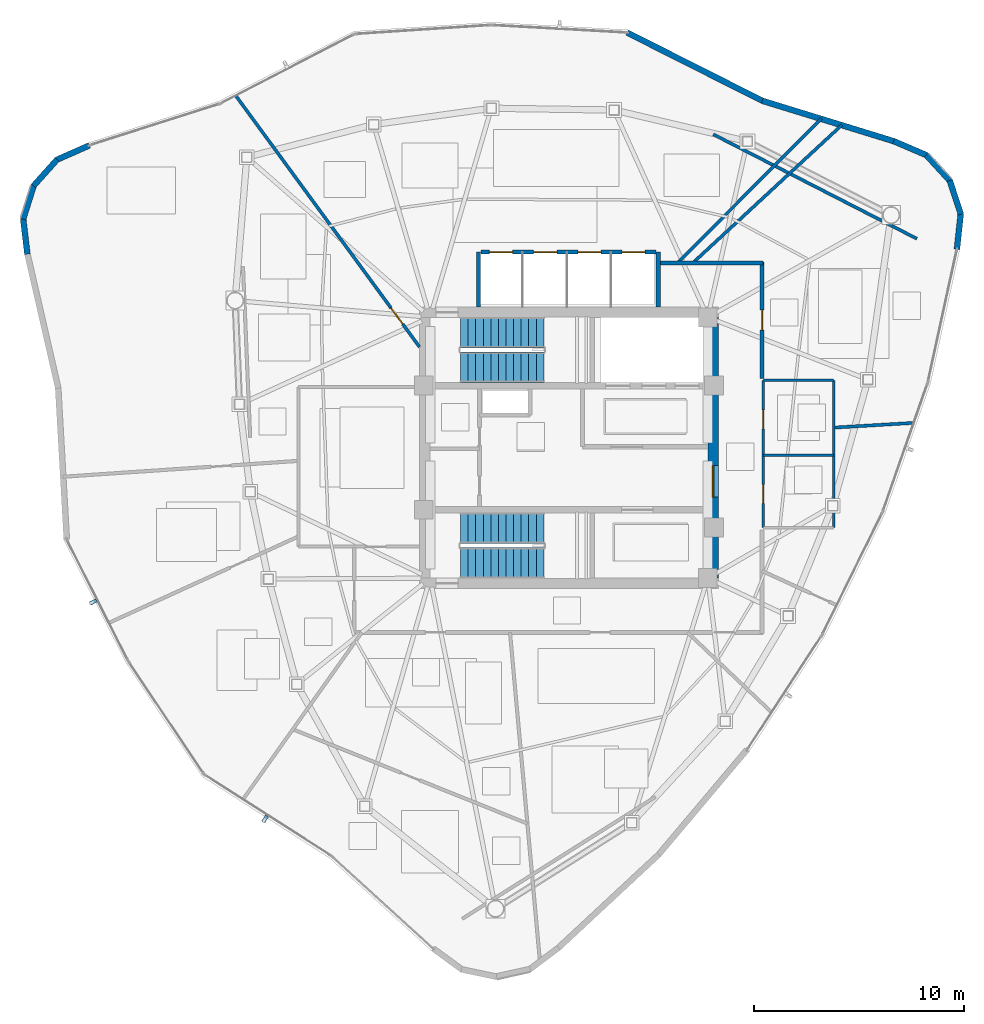
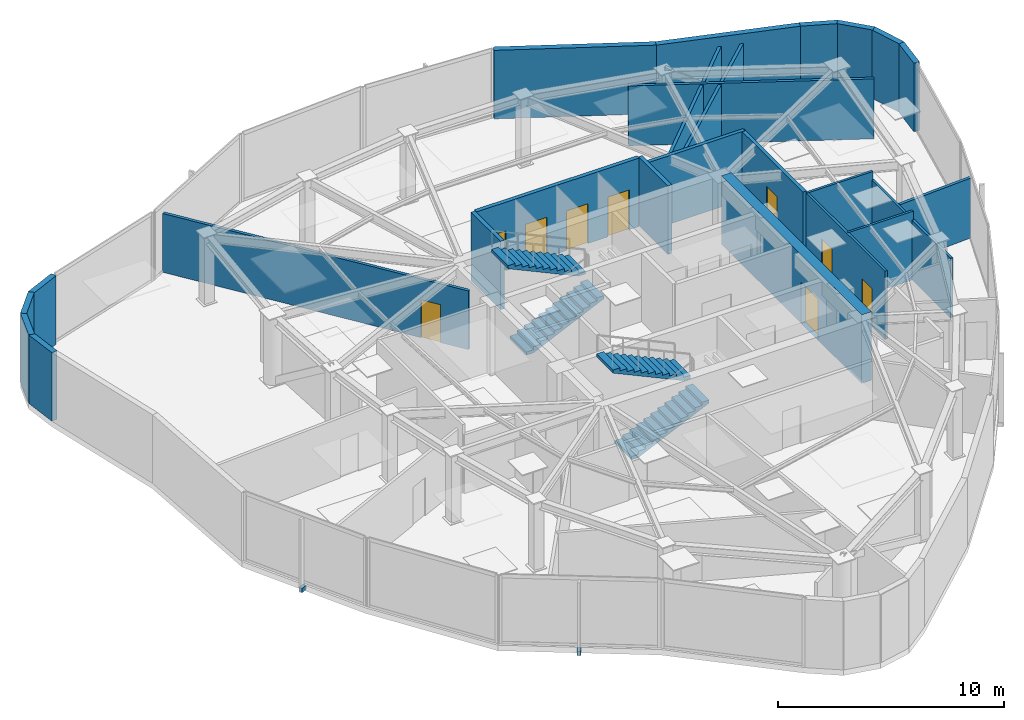
# One storey, part 9 of 13: 25 walls, 9 doors, 4 stair flights, 2 discrete accessories, 9 openings, 2 elements without a shape of their own.
"""IFC4 building model written with IfcOpenShell, lengths in metres."""

import ifcopenshell
import ifcopenshell.guid

model = None  # the IFC model being written
_history = None  # IfcOwnerHistory: only IFC2X3 demands one
_inside = {}  # id of a spatial element -> (the spatial element, [elements in it])
_under = {}  # id of a project, library or spatial element -> (it, [spatial elements below it])
_declared = {}  # id of a project -> (the project, [libraries it declares])
_typed = {}  # id of a type object -> (the type object, [elements of that type])
_made_of = {}  # id of a material, layer set ... -> (it, [elements and type objects made of it])


def new_model(schema):
    """Start an empty IFC model of exactly this schema.

    Asked for "IFC4X3", IfcOpenShell would pick the latest addendum, in which some entities
    have other attributes; the version numbers below select the first issue.
    IFC2X3 requires an IfcOwnerHistory on every rooted entity: one is made here for all.
    """
    global model, _history
    if schema == "IFC4X3":
        model = ifcopenshell.file(schema_version=(4, 3, 0, 0))
    else:
        model = ifcopenshell.file(schema=schema)
    _inside.clear()
    _under.clear()
    _declared.clear()
    _typed.clear()
    _made_of.clear()
    _history = None
    if model.schema == "IFC2X3":
        org = make("IfcOrganization", Name="unknown")
        user = make(
            "IfcPersonAndOrganization",
            ThePerson=make("IfcPerson", FamilyName="unknown"),
            TheOrganization=org,
        )
        app = make(
            "IfcApplication",
            ApplicationDeveloper=org,
            Version="unknown",
            ApplicationFullName="unknown",
            ApplicationIdentifier="unknown",
        )
        _history = make(
            "IfcOwnerHistory",
            OwningUser=user,
            OwningApplication=app,
            ChangeAction="ADDED",
            CreationDate=0,
        )
    return model


def make(cls, **values):
    """One entity of the class cls with the attributes given. An attribute that is None is left unset."""
    return model.create_entity(
        cls, **{name: value for name, value in values.items() if value is not None}
    )


def rooted(cls, **values):
    """An entity with a GlobalId (a new one), such as an element, a storey or a relation."""
    return make(cls, GlobalId=ifcopenshell.guid.new(), OwnerHistory=_history, **values)


def si_unit(unit_type, name, prefix=None):
    """IfcSIUnit, for example si_unit("LENGTHUNIT", "METRE", prefix="MILLI")."""
    return make("IfcSIUnit", UnitType=unit_type, Prefix=prefix, Name=name)


def assignment(units):
    """IfcUnitAssignment: the units of a project."""
    return None if units is None else make("IfcUnitAssignment", Units=units)


def point(xyz):
    """IfcCartesianPoint."""
    return None if xyz is None else make("IfcCartesianPoint", Coordinates=xyz)


def direction(xyz):
    """IfcDirection."""
    return None if xyz is None else make("IfcDirection", DirectionRatios=xyz)


def frame(location, z_axis=None, x_axis=None):
    """IfcAxis2Placement3D, a coordinate frame: its origin and axes. An axis left out is left unset."""
    return make(
        "IfcAxis2Placement3D",
        Location=point(location),
        Axis=direction(z_axis),
        RefDirection=direction(x_axis),
    )


def frame_2d(location, x_axis=None):
    """IfcAxis2Placement2D, a coordinate frame in the plane: its origin and x axis."""
    return make(
        "IfcAxis2Placement2D", Location=point(location), RefDirection=direction(x_axis)
    )


def origin():
    """The frame at (0, 0, 0) with its axes left unset."""
    return frame((0.0, 0.0, 0.0))


def origin_2d():
    """The frame at (0, 0) in the plane with its x axis left unset."""
    return frame_2d((0.0, 0.0))


def place(relative_to, where):
    """IfcLocalPlacement: puts the frame where relative to a parent placement (None: the world)."""
    return make(
        "IfcLocalPlacement", PlacementRelTo=relative_to, RelativePlacement=where
    )


def context(
    kind, dimensions, precision=None, world=None, true_north=None, identifier=None
):
    """IfcGeometricRepresentationContext, for example the 3D "Model" context."""
    return make(
        "IfcGeometricRepresentationContext",
        ContextIdentifier=identifier,
        ContextType=kind,
        CoordinateSpaceDimension=dimensions,
        Precision=precision,
        WorldCoordinateSystem=world,
        TrueNorth=true_north,
    )


def subcontext(parent, identifier, kind, view, scale=None):
    """IfcGeometricRepresentationSubContext, for example "Body" below "Model"."""
    return make(
        "IfcGeometricRepresentationSubContext",
        ContextIdentifier=identifier,
        ContextType=kind,
        ParentContext=parent,
        TargetScale=scale,
        TargetView=view,
    )


def project(units=None, contexts=None):
    """IfcProject with its units and contexts."""
    return rooted(
        "IfcProject",
        Name="project",
        RepresentationContexts=contexts,
        UnitsInContext=assignment(units),
    )


def spatial(cls, under=None, at=None, **own):
    """A site, building, storey or space (cls), placed at a placement, below another one or the project."""
    s = rooted(cls, ObjectPlacement=at, **own)
    if under is not None:
        _under.setdefault(under.id(), (under, []))[1].append(s)
    return s


def polyline(points):
    """IfcPolyline through the points."""
    return make("IfcPolyline", Points=[point(p) for p in points])


def profile(cls, at=None, kind="AREA", **sizes):
    """A parametric profile (cls). Its sizes go by their IFC names, for example OverallWidth=200.0."""
    return make(cls, ProfileType=kind, Position=at, **sizes)


def rectangle(**sizes):
    """IfcRectangleProfileDef."""
    return profile("IfcRectangleProfileDef", **sizes)


def outline(outer, holes=None, kind="AREA"):
    """IfcArbitraryClosedProfileDef: a profile drawn as a closed curve; with holes, ...WithVoids."""
    if holes is None:
        return make("IfcArbitraryClosedProfileDef", ProfileType=kind, OuterCurve=outer)
    return make(
        "IfcArbitraryProfileDefWithVoids",
        ProfileType=kind,
        OuterCurve=outer,
        InnerCurves=holes,
    )


def extrude(swept, where, along, depth):
    """IfcExtrudedAreaSolid: the profile swept, set in the frame where, extruded along a direction by depth."""
    return make(
        "IfcExtrudedAreaSolid",
        SweptArea=swept,
        Position=where,
        ExtrudedDirection=direction(along),
        Depth=depth,
    )


def shape(context_of_items, identifier, shape_type, items):
    """IfcShapeRepresentation: the items that make up one representation, for example the "Body"."""
    return make(
        "IfcShapeRepresentation",
        ContextOfItems=context_of_items,
        RepresentationIdentifier=identifier,
        RepresentationType=shape_type,
        Items=items,
    )


def source(mapping_origin, context_of_items, identifier, shape_type, items):
    """IfcRepresentationMap: a shape defined once, which mapped items show again and again."""
    return make(
        "IfcRepresentationMap",
        MappingOrigin=mapping_origin,
        MappedRepresentation=shape(context_of_items, identifier, shape_type, items),
    )


def transform(
    local_origin,
    x_axis=None,
    y_axis=None,
    z_axis=None,
    scale=None,
    scale2=None,
    scale3=None,
    uniform=True,
):
    """IfcCartesianTransformationOperator3D, or its non-uniform kind. x_axis, y_axis, z_axis: its Axis1, 2, 3."""
    if uniform:
        return make(
            "IfcCartesianTransformationOperator3D",
            Axis1=direction(x_axis),
            Axis2=direction(y_axis),
            LocalOrigin=point(local_origin),
            Scale=scale,
            Axis3=direction(z_axis),
        )
    return make(
        "IfcCartesianTransformationOperator3DnonUniform",
        Axis1=direction(x_axis),
        Axis2=direction(y_axis),
        LocalOrigin=point(local_origin),
        Scale=scale,
        Axis3=direction(z_axis),
        Scale2=scale2,
        Scale3=scale3,
    )


def mapped(mapping_source, mapping_target):
    """IfcMappedItem: shows the shape of a source again, moved by a transform."""
    return make(
        "IfcMappedItem", MappingSource=mapping_source, MappingTarget=mapping_target
    )


def material(Name=None, Category=None):
    """IfcMaterial."""
    return make("IfcMaterial", Name=Name, Category=Category)


def layer(
    of_material, thickness, ventilated=None, Name=None, Category=None, Priority=None
):
    """IfcMaterialLayer: one layer of a wall or slab, of a material (None: an air gap)."""
    return make(
        "IfcMaterialLayer",
        Material=of_material,
        LayerThickness=thickness,
        IsVentilated=ventilated,
        Name=Name,
        Category=Category,
        Priority=Priority,
    )


def layer_set(layers, Name=None):
    """IfcMaterialLayerSet."""
    return make("IfcMaterialLayerSet", MaterialLayers=layers, LayerSetName=Name)


def made_of(thing, what):
    """Note that an element or type object is made of a material, layer set ...; save() writes the relation."""
    if what is not None:
        _made_of.setdefault(what.id(), (what, []))[1].append(thing)
    return thing


def type_object(cls, material=None, **own):
    """A type object (cls), such as IfcWallType, which elements share."""
    return made_of(rooted(cls, **own), material)


def type_shapes(of_type, sources):
    """Give a type object the sources (RepresentationMaps) that its elements show as mapped items."""
    of_type.RepresentationMaps = sources


def element(
    cls,
    number,
    at=None,
    inside=None,
    cuts=None,
    type_object=None,
    material=None,
    context=None,
    identifier="Body",
    shape_type=None,
    held_by="IfcProductDefinitionShape",
    body=None,
    shapes=None,
    **own,
):
    """One element of the class cls, such as IfcWall. Its Tag is "e" and its number.

    at: its placement. inside: the storey or other place that contains it. cuts: it is an
    opening in that element (IfcRelVoidsElement). A single representation is given by context,
    identifier, shape_type and body (its items); several are given by shapes. held_by: the class
    of the entity that holds the representations. save() writes the other relations.
    """
    e = rooted(cls, Tag="e%d" % number, ObjectPlacement=at, **own)
    if body is not None:
        shapes = [shape(context, identifier, shape_type, body)]
    if shapes is not None:
        e.Representation = make(held_by, Representations=shapes)
    if inside is not None:
        _inside.setdefault(inside.id(), (inside, []))[1].append(e)
    if cuts is not None:
        rooted(
            "IfcRelVoidsElement", RelatingBuildingElement=cuts, RelatedOpeningElement=e
        )
    if type_object is not None:
        _typed.setdefault(type_object.id(), (type_object, []))[1].append(e)
    return made_of(e, material)


def fill(opening, filler):
    """IfcRelFillsElement: the door or window that sits in an opening."""
    return rooted(
        "IfcRelFillsElement",
        RelatingOpeningElement=opening,
        RelatedBuildingElement=filler,
    )


def aggregate(whole, parts):
    """IfcRelAggregates: a whole, such as a stair, and the parts it consists of."""
    return rooted("IfcRelAggregates", RelatingObject=whole, RelatedObjects=parts)


def save(model, path):
    """Write the relations noted so far, then the file.

    IfcRelAggregates (storeys below a building ...), IfcRelContainedInSpatialStructure (elements
    in a storey), IfcRelDefinesByType, IfcRelAssociatesMaterial and IfcRelDeclares: one each for
    every whole, place, type object, material and project.
    """
    for whole, parts in _under.values():
        aggregate(whole, parts)
    for where, things in _inside.values():
        rooted(
            "IfcRelContainedInSpatialStructure",
            RelatedElements=things,
            RelatingStructure=where,
        )
    for kind, things in _typed.values():
        rooted("IfcRelDefinesByType", RelatedObjects=things, RelatingType=kind)
    for what, things in _made_of.values():
        rooted("IfcRelAssociatesMaterial", RelatedObjects=things, RelatingMaterial=what)
    for by, libraries in _declared.values():
        rooted("IfcRelDeclares", RelatingContext=by, RelatedDefinitions=libraries)
    model.write(path)


model = new_model("IFC4")

# Units and contexts
model_context = context("Model", 3, precision=1e-05, world=origin(), true_north=direction((0.0, 1.0)))
body_context = subcontext(model_context, "Body", "Model", "MODEL_VIEW")
ifc_project = project(units=[si_unit("LENGTHUNIT", "METRE"), si_unit("AREAUNIT", "SQUARE_METRE"), si_unit("VOLUMEUNIT", "CUBIC_METRE"), si_unit("PLANEANGLEUNIT", "RADIAN"), si_unit("MASSUNIT", "GRAM", prefix="KILO")], contexts=[model_context])

# Site, building, storey
site_placement = place(None, origin())
site = spatial("IfcSite", under=ifc_project, at=site_placement, CompositionType="ELEMENT")
building_placement = place(site_placement, origin())
building = spatial("IfcBuilding", under=site, at=building_placement, Name="Tavelor Broadcast Tower", CompositionType="ELEMENT")
storey_placement = place(building_placement, frame((0.0, 0.0, 297.5)))
storey = spatial("IfcBuildingStorey", under=building, at=storey_placement, Name="L71", CompositionType="ELEMENT", Elevation=297.5)

# Wall, opening, door
ifc_material_1 = material(Name="Concrete C50/60", Category="concrete")
ifc_layer_1 = layer(ifc_material_1, 0.5)
ifc_layer_set_1 = layer_set([ifc_layer_1], Name="Concrete C50/60")
wall_type_1 = type_object("IfcWallType", Name="Core Shear Wall 500 mm", PredefinedType="SHEAR", material=ifc_layer_set_1)
wall_1_placement = place(storey_placement, frame((56.85009765625, 38.800048828125, 0.0), z_axis=(0.0, 0.0, 1.0), x_axis=(0.0, 1.0, 0.0)))
wall_1 = element("IfcWall", 1, at=wall_1_placement, inside=storey, type_object=wall_type_1, Name="L71 Central Core Shear Wall E", PredefinedType="SHEAR", context=body_context, shape_type="SweptSolid", body=[
    extrude(rectangle(XDim=12.39990234375, YDim=0.5, at=frame_2d((6.199951171875, 0.0))), origin(), (0.0, 0.0, 1.0), 3.699951171875),
])
opening_1_placement = place(wall_1_placement, frame((3.85009765625, 0.0, 0.0)))
opening_1 = element("IfcOpeningElement", 2, at=opening_1_placement, cuts=wall_1, Name="Opening DR14", PredefinedType="OPENING", context=body_context, shape_type="SweptSolid", body=[
    extrude(rectangle(XDim=1.5, YDim=2.199951171875, at=frame_2d((0.75, 1.10009765625))), frame((0.0, 0.260009765625, 0.0), z_axis=(0.0, -1.0, 0.0), x_axis=(1.0, 0.0, 0.0)), (0.0, 0.0, 1.0), 0.52001953125),
])
ifc_material_2 = material(Name="Steel S355", Category="steel")
door_type_1 = type_object("IfcDoorType", Name="Firefighting Lobby Double Fire Door 1500x2200", OperationType="NOTDEFINED", PredefinedType="DOOR", material=ifc_material_2)
door_1_placement = place(opening_1_placement, origin())
door_1 = element("IfcDoor", 3, at=door_1_placement, inside=storey, type_object=door_type_1, Name="L71 Central Core Lobby Fire Door", OperationType="SINGLE_SWING_RIGHT", OverallHeight=2.199951171875, OverallWidth=1.5, PredefinedType="DOOR", context=body_context, shape_type="SweptSolid", body=[
    extrude(rectangle(XDim=1.5, YDim=2.199951171875, at=frame_2d((0.75, 1.10009765625))), frame((0.0, 0.02490234375, 0.0), z_axis=(0.0, -1.0, 0.0), x_axis=(1.0, 0.0, 0.0)), (0.0, 0.0, 1.0), 0.050048828125),
])
fill(opening_1, door_1)

# Wall
ifc_material_3 = material(Name="Calcium Silicate Fire Board 180 mm", Category="gypsum")
ifc_layer_2 = layer(ifc_material_3, 0.179931640625)
ifc_layer_set_2 = layer_set([ifc_layer_2], Name="Calcium Silicate Fire Board 180 mm")
wall_type_2 = type_object("IfcWallType", Name="Fire-Rated Corridor Partition Wall 180 mm", PredefinedType="PARTITIONING", material=ifc_layer_set_2)
wall_2_placement = place(storey_placement, frame((54.300048828125, 53.780029296875, 0.0), z_axis=(0.0, 0.0, 1.0), x_axis=(1.0, 0.0, 0.0)))
element("IfcWall", 4, at=wall_2_placement, inside=storey, type_object=wall_type_2, Name="L71 Corridor Compartment Wall 01", PredefinedType="PARTITIONING", context=body_context, shape_type="SweptSolid", body=[
    extrude(rectangle(XDim=4.929931640625, YDim=0.179931640625, at=frame_2d((2.46484375, 0.0))), origin(), (0.0, 0.0, 1.0), 3.699951171875),
])

# Wall, opening, door
wall_3_placement = place(storey_placement, frame((59.179931640625, 53.830078125, 0.0), z_axis=(0.0, 0.0, 1.0), x_axis=(0.0, -1.0, 0.0)))
wall_3 = element("IfcWall", 5, at=wall_3_placement, inside=storey, type_object=wall_type_2, Name="L71 Corridor Compartment Wall 02", PredefinedType="PARTITIONING", context=body_context, shape_type="SweptSolid", body=[
    extrude(rectangle(XDim=5.530029296875, YDim=0.179931640625, at=frame_2d((2.76513671875, 0.0))), origin(), (0.0, 0.0, 1.0), 3.699951171875),
])
opening_2_placement = place(wall_3_placement, frame((2.2900390625, 0.0, 0.0)))
opening_2 = element("IfcOpeningElement", 6, at=opening_2_placement, cuts=wall_3, Name="Opening DR18", PredefinedType="OPENING", context=body_context, shape_type="SweptSolid", body=[
    extrude(rectangle(XDim=0.949951171875, YDim=2.050048828125, at=frame_2d((0.47509765625, 1.02490234375))), frame((0.0, 0.10009765625, 0.0), z_axis=(0.0, -1.0, 0.0), x_axis=(1.0, 0.0, 0.0)), (0.0, 0.0, 1.0), 0.199951171875),
])
ifc_material_4 = material(Name="Timber Solid Core Hardwood", Category="wood")
door_type_2 = type_object("IfcDoorType", Name="Corridor Rated Compartment Door 950x2050", OperationType="NOTDEFINED", PredefinedType="DOOR", material=ifc_material_4)
door_2_placement = place(opening_2_placement, origin())
door_2 = element("IfcDoor", 7, at=door_2_placement, inside=storey, type_object=door_type_2, Name="L71 Syndication Legal Office Door R7", OperationType="SINGLE_SWING_LEFT", OverallHeight=2.050048828125, OverallWidth=0.949951171875, PredefinedType="DOOR", context=body_context, shape_type="SweptSolid", body=[
    extrude(rectangle(XDim=0.949951171875, YDim=2.050048828125, at=frame_2d((0.47509765625, 1.02490234375))), frame((0.0, 0.02490234375, 0.0), z_axis=(0.0, -1.0, 0.0), x_axis=(1.0, 0.0, 0.0)), (0.0, 0.0, 1.0), 0.050048828125),
])
fill(opening_2, door_2)

# Walls
ifc_material_5 = material(Name="Precast Concrete C40/50", Category="concrete")
ifc_layer_3 = layer(ifc_material_5, 0.280029296875)
ifc_layer_set_3 = layer_set([ifc_layer_3], Name="Precast Concrete C40/50")
wall_type_3 = type_object("IfcWallType", Name="Insulated Precast Terracotta Facade Wall 280 mm", PredefinedType="STANDARD", material=ifc_layer_set_3)
wall_4_placement = place(storey_placement, frame((27.20166015625, 59.37158203125, 0.0), z_axis=(0.0, 0.0, 1.0), x_axis=(-0.914598775381, -0.404362560175, 0.0)))
element("IfcWall", 8, at=wall_4_placement, inside=storey, type_object=wall_type_3, Name="L71 Rounded Corner Structural Cladding Pier 01", PredefinedType="STANDARD", context=body_context, shape_type="SweptSolid", body=[
    extrude(rectangle(XDim=1.697265625, YDim=0.280029296875, at=frame_2d((0.8486328125, 0.0))), origin(), (0.0, 0.0, 1.0), 3.699951171875),
])
wall_5_placement = place(storey_placement, frame((25.673095703125, 58.70263671875, 0.0), z_axis=(0.0, 0.0, 1.0), x_axis=(-0.667226560354, -0.744854829586, 0.0)))
element("IfcWall", 9, at=wall_5_placement, inside=storey, type_object=wall_type_3, Name="L71 Rounded Corner Structural Cladding Pier 02", PredefinedType="STANDARD", context=body_context, shape_type="SweptSolid", body=[
    extrude(rectangle(XDim=1.685791015625, YDim=0.280029296875, at=frame_2d((0.8427734375, 0.0))), origin(), (0.0, 0.0, 1.0), 3.699951171875),
])
wall_6_placement = place(storey_placement, frame((24.56298828125, 57.472412109375, 0.0), z_axis=(0.0, 0.0, 1.0), x_axis=(-0.30154723935, -0.953451237579, 0.0)))
element("IfcWall", 10, at=wall_6_placement, inside=storey, type_object=wall_type_3, Name="L71 Rounded Corner Structural Cladding Pier 03", PredefinedType="STANDARD", context=body_context, shape_type="SweptSolid", body=[
    extrude(rectangle(XDim=1.685546875, YDim=0.280029296875, at=frame_2d((0.8427734375, 0.0))), origin(), (0.0, 0.0, 1.0), 3.699951171875),
])
wall_7_placement = place(storey_placement, frame((24.057373046875, 55.89453125, 0.0), z_axis=(0.0, 0.0, 1.0), x_axis=(0.117629017271, -0.99305760875, 0.0)))
element("IfcWall", 11, at=wall_7_placement, inside=storey, type_object=wall_type_3, Name="L71 Rounded Corner Structural Cladding Pier 04", PredefinedType="STANDARD", context=body_context, shape_type="SweptSolid", body=[
    extrude(rectangle(XDim=1.708251953125, YDim=0.280029296875, at=frame_2d((0.85400390625, 0.0))), origin(), (0.0, 0.0, 1.0), 3.699951171875),
])
wall_8_placement = place(storey_placement, frame((68.4453125, 54.4404296875, 0.0), z_axis=(0.0, 0.0, 1.0), x_axis=(0.107162890693, 0.994241477136, 0.0)))
element("IfcWall", 12, at=wall_8_placement, inside=storey, type_object=wall_type_3, Name="L71 Rounded Corner Structural Cladding Pier 21", PredefinedType="STANDARD", context=body_context, shape_type="SweptSolid", body=[
    extrude(rectangle(XDim=1.697265625, YDim=0.280029296875, at=frame_2d((0.8486328125, 0.0))), origin(), (0.0, 0.0, 1.0), 3.699951171875),
])
for number, where, z_axis, x_axis, name in (
    (13, (68.63037109375, 56.098876953125, 0.0), (0.0, 0.0, 1.0), (-0.311574254357, 0.950221807802, 0.0), "L71 Rounded Corner Structural Cladding Pier 22"),
    (14, (68.1201171875, 57.67529296875, 0.0), (0.0, 0.0, 1.0), (-0.674976554012, 0.737839177283, 0.0), "L71 Rounded Corner Structural Cladding Pier 23"),
):
    element("IfcWall", number, at=place(storey_placement, frame(where, z_axis=z_axis, x_axis=x_axis)), inside=storey, type_object=wall_type_3, Name=name, PredefinedType="STANDARD", context=body_context, shape_type="SweptSolid", body=[
        extrude(rectangle(XDim=1.685546875, YDim=0.280029296875, at=frame_2d((0.8427734375, 0.0))), origin(), (0.0, 0.0, 1.0), 3.699951171875),
    ])
wall_9_placement = place(storey_placement, frame((67.006103515625, 58.90185546875, 0.0), z_axis=(0.0, 0.0, 1.0), x_axis=(-0.918774970346, 0.394781653406, 0.0)))
element("IfcWall", 15, at=wall_9_placement, inside=storey, type_object=wall_type_3, Name="L71 Rounded Corner Structural Cladding Pier 24", PredefinedType="STANDARD", context=body_context, shape_type="SweptSolid", body=[
    extrude(rectangle(XDim=1.7080078125, YDim=0.280029296875, at=frame_2d((0.85400390625, 0.0))), origin(), (0.0, 0.0, 1.0), 3.699951171875),
])
wall_10_placement = place(storey_placement, frame((65.46484375, 59.56591796875, 0.0), z_axis=(0.0, 0.0, 1.0), x_axis=(-0.95591317688, 0.293649447926, 0.0)))
element("IfcWall", 16, at=wall_10_placement, inside=storey, type_object=wall_type_3, Name="L71 Rounded Corner Structural Cladding Pier 25", PredefinedType="STANDARD", context=body_context, shape_type="SweptSolid", body=[
    extrude(rectangle(XDim=6.565673828125, YDim=0.280029296875, at=frame_2d((3.28271484375, 0.0))), origin(), (0.0, 0.0, 1.0), 3.699951171875),
])
wall_11_placement = place(storey_placement, frame((59.216552734375, 61.482666015625, 0.0), z_axis=(0.0, 0.0, 1.0), x_axis=(-0.892865197732, 0.450324037422, 0.0)))
element("IfcWall", 17, at=wall_11_placement, inside=storey, type_object=wall_type_3, Name="L71 Rounded Corner Structural Cladding Pier 26", PredefinedType="STANDARD", context=body_context, shape_type="SweptSolid", body=[
    extrude(rectangle(XDim=7.21484375, YDim=0.280029296875, at=frame_2d((3.607421875, 0.0))), origin(), (0.0, 0.0, 1.0), 3.699951171875),
])
ifc_material_6 = material(Name="Gypsum Acoustic Plasterboard 150 mm", Category="gypsum")
ifc_layer_4 = layer(ifc_material_6, 0.14990234375)
ifc_layer_set_4 = layer_set([ifc_layer_4], Name="Gypsum Acoustic Plasterboard 150 mm")
wall_type_4 = type_object("IfcWallType", Name="Interior Acoustic Partition Wall 150 mm", PredefinedType="PARTITIONING", material=ifc_layer_set_4)
wall_12_placement = place(storey_placement, frame((66.542724609375, 54.934326171875, 0.0), z_axis=(0.0, 0.0, 1.0), x_axis=(-0.889966951661, 0.456025026673, 0.0)))
element("IfcWall", 18, at=wall_12_placement, inside=storey, type_object=wall_type_4, Name="L71 Corner Tube Brace Furring Wall 3", PredefinedType="PARTITIONING", context=body_context, shape_type="SweptSolid", body=[
    extrude(rectangle(XDim=10.878662109375, YDim=0.14990234375, at=frame_2d((5.439453125, 0.0))), origin(), (0.0, 0.0, 1.0), 3.235107421875),
])
wall_13_placement = place(storey_placement, frame((62.64990234375, 45.959228515625, 0.0), z_axis=(0.0, 0.0, 1.0), x_axis=(0.998263156223, 0.058912400462, 0.0)))
element("IfcWall", 19, at=wall_13_placement, inside=storey, type_object=wall_type_4, Name="L71 Radial Compartment Wall 06", PredefinedType="PARTITIONING", context=body_context, shape_type="SweptSolid", body=[
    extrude(rectangle(XDim=3.7587890625, YDim=0.14990234375, at=frame_2d((1.87939453125, 0.0))), origin(), (0.0, 0.0, 1.0), 3.235107421875),
])
wall_14_placement = place(storey_placement, frame((55.88671875, 53.780029296875, 0.0), z_axis=(0.0, 0.0, 1.0), x_axis=(0.733901596629, 0.67925580341, 0.0)))
element("IfcWall", 20, at=wall_14_placement, inside=storey, type_object=wall_type_4, Name="L71 Radial Compartment Wall 07", PredefinedType="PARTITIONING", context=body_context, shape_type="SweptSolid", body=[
    extrude(rectangle(XDim=9.6591796875, YDim=0.14990234375, at=frame_2d((4.82958984375, 0.0))), origin(), (0.0, 0.0, 1.0), 3.175048828125),
])
wall_15_placement = place(storey_placement, frame((55.156005859375, 53.780029296875, 0.0), z_axis=(0.0, 0.0, 1.0), x_axis=(0.706148711561, 0.708063554465, 0.0)))
element("IfcWall", 21, at=wall_15_placement, inside=storey, type_object=wall_type_4, Name="L71 Radial Compartment Wall 08", PredefinedType="PARTITIONING", context=body_context, shape_type="SweptSolid", body=[
    extrude(rectangle(XDim=9.68994140625, YDim=0.14990234375, at=frame_2d((4.844970703125, 0.0))), origin(), (0.0, 0.0, 1.0), 3.175048828125),
])

# Wall, opening, door
wall_16_placement = place(storey_placement, frame((42.89990234375, 49.787109375, 0.0), z_axis=(0.0, 0.0, 1.0), x_axis=(-0.590195506102, 0.80726034498, 0.0)))
wall_16 = element("IfcWall", 22, at=wall_16_placement, inside=storey, type_object=wall_type_4, Name="L71 Radial Compartment Wall 09", PredefinedType="PARTITIONING", context=body_context, shape_type="SweptSolid", body=[
    extrude(rectangle(XDim=14.812744140625, YDim=0.14990234375, at=frame_2d((7.40625, 0.0))), origin(), (0.0, 0.0, 1.0), 3.175048828125),
])
opening_3_placement = place(wall_16_placement, frame((1.35009765625, 0.0, 0.0)))
opening_3 = element("IfcOpeningElement", 23, at=opening_3_placement, cuts=wall_16, Name="Opening DR18", PredefinedType="OPENING", context=body_context, shape_type="SweptSolid", body=[
    extrude(rectangle(XDim=0.949951171875, YDim=2.050048828125, at=frame_2d((0.47509765625, 1.02490234375))), frame((0.0, 0.0849609375, 0.0), z_axis=(0.0, -1.0, 0.0), x_axis=(1.0, 0.0, 0.0)), (0.0, 0.0, 1.0), 0.169921875),
])
door_3_placement = place(opening_3_placement, origin())
door_3 = element("IfcDoor", 24, at=door_3_placement, inside=storey, type_object=door_type_2, Name="L71 Suite Connecting Door 6", OperationType="SINGLE_SWING_RIGHT", OverallHeight=2.050048828125, OverallWidth=0.949951171875, PredefinedType="DOOR", context=body_context, shape_type="SweptSolid", body=[
    extrude(rectangle(XDim=0.949951171875, YDim=2.050048828125, at=frame_2d((0.47509765625, 1.02490234375))), frame((0.0, 0.02490234375, 0.0), z_axis=(0.0, -1.0, 0.0), x_axis=(1.0, 0.0, 0.0)), (0.0, 0.0, 1.0), 0.050048828125),
])
fill(opening_3, door_3)

# Wall, openings, doors
ifc_material_7 = material(Name="Concrete Blockwork 200 mm", Category="masonry")
ifc_layer_5 = layer(ifc_material_7, 0.199951171875)
ifc_layer_set_5 = layer_set([ifc_layer_5], Name="Concrete Blockwork 200 mm")
wall_type_5 = type_object("IfcWallType", Name="Lift Hoistway Rated Front Wall 200 mm", PredefinedType="PARTITIONING", material=ifc_layer_set_5)
wall_17_placement = place(storey_placement, frame((45.820068359375, 54.300048828125, 0.0), z_axis=(0.0, 0.0, 1.0), x_axis=(1.0, 0.0, 0.0)))
wall_17 = element("IfcWall", 25, at=wall_17_placement, inside=storey, type_object=wall_type_5, Name="L71 High-Rise Lift Hoistway Front Wall", PredefinedType="PARTITIONING", context=body_context, shape_type="SweptSolid", body=[
    extrude(rectangle(XDim=8.309814453125, YDim=0.199951171875, at=frame_2d((4.15478515625, 0.0))), origin(), (0.0, 0.0, 1.0), 3.699951171875),
])
opening_4_placement = place(wall_17_placement, frame((0.405029296875, 0.0, 0.0)))
opening_4 = element("IfcOpeningElement", 26, at=opening_4_placement, cuts=wall_17, Name="Opening LD01", PredefinedType="OPENING", context=body_context, shape_type="SweptSolid", body=[
    extrude(rectangle(XDim=1.10009765625, YDim=2.14990234375, at=frame_2d((0.550048828125, 1.074951171875))), frame((0.0, 0.10986328125, 0.0), z_axis=(0.0, -1.0, 0.0), x_axis=(1.0, 0.0, 0.0)), (0.0, 0.0, 1.0), 0.219970703125),
])
opening_5_placement = place(wall_17_placement, frame((2.5048828125, 0.0, 0.0)))
opening_5 = element("IfcOpeningElement", 27, at=opening_5_placement, cuts=wall_17, Name="Opening LD01", PredefinedType="OPENING", context=body_context, shape_type="SweptSolid", body=[
    extrude(rectangle(XDim=1.10009765625, YDim=2.14990234375, at=frame_2d((0.550048828125, 1.074951171875))), frame((0.0, 0.10986328125, 0.0), z_axis=(0.0, -1.0, 0.0), x_axis=(1.0, 0.0, 0.0)), (0.0, 0.0, 1.0), 0.219970703125),
])
opening_6_placement = place(wall_17_placement, frame((4.60498046875, 0.0, 0.0)))
opening_6 = element("IfcOpeningElement", 28, at=opening_6_placement, cuts=wall_17, Name="Opening LD01", PredefinedType="OPENING", context=body_context, shape_type="SweptSolid", body=[
    extrude(rectangle(XDim=1.10009765625, YDim=2.14990234375, at=frame_2d((0.550048828125, 1.074951171875))), frame((0.0, 0.10986328125, 0.0), z_axis=(0.0, -1.0, 0.0), x_axis=(1.0, 0.0, 0.0)), (0.0, 0.0, 1.0), 0.219970703125),
])
opening_7_placement = place(wall_17_placement, frame((6.705078125, 0.0, 0.0)))
opening_7 = element("IfcOpeningElement", 29, at=opening_7_placement, cuts=wall_17, Name="Opening LD01", PredefinedType="OPENING", context=body_context, shape_type="SweptSolid", body=[
    extrude(rectangle(XDim=1.10009765625, YDim=2.14990234375, at=frame_2d((0.550048828125, 1.074951171875))), frame((0.0, 0.10986328125, 0.0), z_axis=(0.0, -1.0, 0.0), x_axis=(1.0, 0.0, 0.0)), (0.0, 0.0, 1.0), 0.219970703125),
])
ifc_material_8 = material(Name="Brushed Stainless Steel", Category="steel")
door_type_3 = type_object("IfcDoorType", Name="Passenger Lift Sliding Landing Door 1100x2150", OperationType="NOTDEFINED", PredefinedType="DOOR", material=ifc_material_8)
door_4_placement = place(opening_4_placement, origin())
door_4 = element("IfcDoor", 30, at=door_4_placement, inside=storey, type_object=door_type_3, Name="L71 Lift PLH1 Sliding Landing Door", OperationType="SLIDING_TO_LEFT", OverallHeight=2.14990234375, OverallWidth=1.10009765625, PredefinedType="DOOR", context=body_context, shape_type="SweptSolid", body=[
    extrude(rectangle(XDim=1.10009765625, YDim=2.14990234375, at=frame_2d((0.550048828125, 1.074951171875))), frame((0.0, 0.02490234375, 0.0), z_axis=(0.0, -1.0, 0.0), x_axis=(1.0, 0.0, 0.0)), (0.0, 0.0, 1.0), 0.050048828125),
])
fill(opening_4, door_4)
door_5_placement = place(opening_5_placement, origin())
door_5 = element("IfcDoor", 31, at=door_5_placement, inside=storey, type_object=door_type_3, Name="L71 Lift PLH2 Sliding Landing Door", OperationType="SLIDING_TO_RIGHT", OverallHeight=2.14990234375, OverallWidth=1.10009765625, PredefinedType="DOOR", context=body_context, shape_type="SweptSolid", body=[
    extrude(rectangle(XDim=1.10009765625, YDim=2.14990234375, at=frame_2d((0.550048828125, 1.074951171875))), frame((0.0, 0.02490234375, 0.0), z_axis=(0.0, -1.0, 0.0), x_axis=(1.0, 0.0, 0.0)), (0.0, 0.0, 1.0), 0.050048828125),
])
fill(opening_5, door_5)
door_6_placement = place(opening_6_placement, origin())
door_6 = element("IfcDoor", 32, at=door_6_placement, inside=storey, type_object=door_type_3, Name="L71 Lift PLH3 Sliding Landing Door", OperationType="SLIDING_TO_LEFT", OverallHeight=2.14990234375, OverallWidth=1.10009765625, PredefinedType="DOOR", context=body_context, shape_type="SweptSolid", body=[
    extrude(rectangle(XDim=1.10009765625, YDim=2.14990234375, at=frame_2d((0.550048828125, 1.074951171875))), frame((0.0, 0.02490234375, 0.0), z_axis=(0.0, -1.0, 0.0), x_axis=(1.0, 0.0, 0.0)), (0.0, 0.0, 1.0), 0.050048828125),
])
fill(opening_6, door_6)
door_7_placement = place(opening_7_placement, origin())
door_7 = element("IfcDoor", 33, at=door_7_placement, inside=storey, type_object=door_type_3, Name="L71 Lift PLH4 Sliding Landing Door", OperationType="SLIDING_TO_RIGHT", OverallHeight=2.14990234375, OverallWidth=1.10009765625, PredefinedType="DOOR", context=body_context, shape_type="SweptSolid", body=[
    extrude(rectangle(XDim=1.10009765625, YDim=2.14990234375, at=frame_2d((0.550048828125, 1.074951171875))), frame((0.0, 0.02490234375, 0.0), z_axis=(0.0, -1.0, 0.0), x_axis=(1.0, 0.0, 0.0)), (0.0, 0.0, 1.0), 0.050048828125),
])
fill(opening_7, door_7)

# Walls
ifc_layer_6 = layer(ifc_material_7, 0.199951171875)
ifc_layer_set_6 = layer_set([ifc_layer_6], Name="Concrete Blockwork 200 mm")
wall_type_6 = type_object("IfcWallType", Name="Lift and Riser Shaft Enclosure Wall 200 mm", PredefinedType="PARTITIONING", material=ifc_layer_set_6)
for number, where, z_axis, x_axis, name in (
    (34, (45.699951171875, 51.699951171875, 0.0), (0.0, 0.0, 1.0), (0.0, 1.0, 0.0), "L71 High-Rise Lift Shaft West Wall"),
    (35, (54.25, 51.699951171875, 0.0), (0.0, 0.0, 1.0), (0.0, 1.0, 0.0), "L71 High-Rise Lift Shaft East Wall"),
):
    element("IfcWall", number, at=place(storey_placement, frame(where, z_axis=z_axis, x_axis=x_axis)), inside=storey, type_object=wall_type_6, Name=name, PredefinedType="PARTITIONING", context=body_context, shape_type="SweptSolid", body=[
        extrude(rectangle(XDim=2.60009765625, YDim=0.199951171875, at=frame_2d((1.300048828125, 0.0))), origin(), (0.0, 0.0, 1.0), 3.699951171875),
    ])

# Wall, openings, doors
ifc_material_9 = material(Name="Moisture-Resistant Plasterboard 120 mm", Category="gypsum")
ifc_layer_7 = layer(ifc_material_9, 0.1201171875)
ifc_layer_set_7 = layer_set([ifc_layer_7], Name="Moisture-Resistant Plasterboard 120 mm")
wall_type_7 = type_object("IfcWallType", Name="Moisture-Resistant Wet-Room Partition 120 mm", PredefinedType="PARTITIONING", material=ifc_layer_set_7)
wall_18_placement = place(storey_placement, frame((59.239990234375, 41.199951171875, 0.0), z_axis=(0.0, 0.0, 1.0), x_axis=(0.0, 1.0, 0.0)))
wall_18 = element("IfcWall", 36, at=wall_18_placement, inside=storey, type_object=wall_type_7, Name="L71 Floor Washrooms West Wall", PredefinedType="PARTITIONING", context=body_context, shape_type="SweptSolid", body=[
    extrude(rectangle(XDim=7.0, YDim=0.1201171875, at=frame_2d((3.5, 0.0))), origin(), (0.0, 0.0, 1.0), 3.699951171875),
])
opening_8_placement = place(wall_18_placement, frame((1.14990234375, 0.0, 0.0)))
opening_8 = element("IfcOpeningElement", 37, at=opening_8_placement, cuts=wall_18, Name="Opening DR32", PredefinedType="OPENING", context=body_context, shape_type="SweptSolid", body=[
    extrude(rectangle(XDim=0.89990234375, YDim=2.050048828125, at=frame_2d((0.449951171875, 1.02490234375))), frame((0.0, 0.070068359375, 0.0), z_axis=(0.0, -1.0, 0.0), x_axis=(1.0, 0.0, 0.0)), (0.0, 0.0, 1.0), 0.14013671875),
])
opening_9_placement = place(wall_18_placement, frame((4.699951171875, 0.0, 0.0)))
opening_9 = element("IfcOpeningElement", 38, at=opening_9_placement, cuts=wall_18, Name="Opening DR32", PredefinedType="OPENING", context=body_context, shape_type="SweptSolid", body=[
    extrude(rectangle(XDim=0.89990234375, YDim=2.050048828125, at=frame_2d((0.449951171875, 1.02490234375))), frame((0.0, 0.070068359375, 0.0), z_axis=(0.0, -1.0, 0.0), x_axis=(1.0, 0.0, 0.0)), (0.0, 0.0, 1.0), 0.14013671875),
])
door_type_4 = type_object("IfcDoorType", Name="Accessible Washroom Door 900x2050", OperationType="NOTDEFINED", PredefinedType="DOOR", material=ifc_material_4)
door_8_placement = place(opening_8_placement, origin())
door_8 = element("IfcDoor", 39, at=door_8_placement, inside=storey, type_object=door_type_4, Name="L71 Accessible WC Door", OperationType="SINGLE_SWING_LEFT", OverallHeight=2.050048828125, OverallWidth=0.89990234375, PredefinedType="DOOR", context=body_context, shape_type="SweptSolid", body=[
    extrude(rectangle(XDim=0.89990234375, YDim=2.050048828125, at=frame_2d((0.449951171875, 1.02490234375))), frame((0.0, 0.02490234375, 0.0), z_axis=(0.0, -1.0, 0.0), x_axis=(1.0, 0.0, 0.0)), (0.0, 0.0, 1.0), 0.050048828125),
])
fill(opening_8, door_8)
door_9_placement = place(opening_9_placement, origin())
door_9 = element("IfcDoor", 40, at=door_9_placement, inside=storey, type_object=door_type_4, Name="L71 Staff Washroom WC Door", OperationType="SINGLE_SWING_RIGHT", OverallHeight=2.050048828125, OverallWidth=0.89990234375, PredefinedType="DOOR", context=body_context, shape_type="SweptSolid", body=[
    extrude(rectangle(XDim=0.89990234375, YDim=2.050048828125, at=frame_2d((0.449951171875, 1.02490234375))), frame((0.0, 0.02490234375, 0.0), z_axis=(0.0, -1.0, 0.0), x_axis=(1.0, 0.0, 0.0)), (0.0, 0.0, 1.0), 0.050048828125),
])
fill(opening_9, door_9)

# Walls
for number, where, z_axis, x_axis, name in (
    (41, (59.239990234375, 44.64990234375, 0.0), (0.0, 0.0, 1.0), (1.0, 0.0, 0.0), "L71 Floor Washrooms Divider Wall"),
    (42, (59.239990234375, 48.199951171875, 0.0), (0.0, 0.0, 1.0), (1.0, 0.0, 0.0), "L71 Floor Washrooms North Wall"),
):
    element("IfcWall", number, at=place(storey_placement, frame(where, z_axis=z_axis, x_axis=x_axis)), inside=storey, type_object=wall_type_7, Name=name, PredefinedType="PARTITIONING", context=body_context, shape_type="SweptSolid", body=[
        extrude(rectangle(XDim=3.340087890625, YDim=0.1201171875, at=frame_2d((1.669921875, 0.0))), origin(), (0.0, 0.0, 1.0), 3.699951171875),
    ])
wall_19_placement = place(storey_placement, frame((62.580078125, 41.199951171875, 0.0), z_axis=(0.0, 0.0, 1.0), x_axis=(0.0, 1.0, 0.0)))
element("IfcWall", 43, at=wall_19_placement, inside=storey, type_object=wall_type_7, Name="L71 Floor Washrooms East Wall", PredefinedType="PARTITIONING", context=body_context, shape_type="SweptSolid", body=[
    extrude(rectangle(XDim=7.0, YDim=0.1201171875, at=frame_2d((3.5, 0.0))), origin(), (0.0, 0.0, 1.0), 3.235107421875),
])

# Stair, stair flights
ifc_material_10 = material(Name="Concrete C40/50", Category="concrete")
stair_type = type_object("IfcStairType", Name="Reinforced Concrete Protected Dogleg Stair 1450 mm", PredefinedType="HALF_TURN_STAIR", material=ifc_material_10)
stair_1_placement = place(storey_placement, origin())
stair_1 = element("IfcStair", 44, at=stair_1_placement, inside=storey, type_object=stair_type, Name="L71 Protected Core Exit Stair ST1", PredefinedType="HALF_TURN_STAIR")
stair_flight_type = type_object("IfcStairFlightType", Name="Reinforced Concrete Stair Flight 1450 mm", PredefinedType="STRAIGHT", material=ifc_material_10)
stair_flight_1_placement = place(storey_placement, frame((44.85009765625, 48.824951171875, 0.0), z_axis=(0.0, 0.0, 1.0), x_axis=(1.0, 0.0, 0.0)))
stair_flight_1 = element("IfcStairFlight", 45, at=stair_flight_1_placement, type_object=stair_flight_type, Name="ST1 flight 1", NumberOfRisers=12, NumberOfTreads=11, PredefinedType="STRAIGHT", RiserHeight=0.166666667, TreadLength=0.36, context=body_context, shape_type="SweptSolid", body=[
    extrude(outline(polyline([(0.0, 0.0), (0.0, 0.166748046875), (0.360107421875, 0.166748046875), (0.360107421875, 0.333251953125), (0.719970703125, 0.333251953125), (0.719970703125, 0.5), (1.080078125, 0.5), (1.080078125, 0.666748046875), (1.43994140625, 0.666748046875), (1.43994140625, 0.833251953125), (1.800048828125, 0.833251953125), (1.800048828125, 1.0), (2.159912109375, 1.0), (2.159912109375, 1.166748046875), (2.52001953125, 1.166748046875), (2.52001953125, 1.333251953125), (2.8798828125, 1.333251953125), (2.8798828125, 1.5), (3.239990234375, 1.5), (3.239990234375, 1.666748046875), (3.60009765625, 1.666748046875), (3.60009765625, 1.833251953125), (3.9599609375, 1.833251953125), (3.9599609375, 2.0), (3.9599609375, 1.668212890625), (0.356689453125, 0.0), (0.0, 0.0)])), frame((0.0, 0.72509765625, 0.0), z_axis=(0.0, -1.0, 0.0), x_axis=(1.0, 0.0, 0.0)), (0.0, 0.0, 1.0), 1.449951171875),
])
stair_flight_2_placement = place(storey_placement, frame((48.81005859375, 50.47509765625, 2.0), z_axis=(0.0, 0.0, 1.0), x_axis=(-1.0, 0.0, 0.0)))
stair_flight_2 = element("IfcStairFlight", 46, at=stair_flight_2_placement, type_object=stair_flight_type, Name="ST1 flight 2", NumberOfRisers=12, NumberOfTreads=11, PredefinedType="STRAIGHT", RiserHeight=0.166666667, TreadLength=0.36, context=body_context, shape_type="SweptSolid", body=[
    extrude(outline(polyline([(0.0, 0.0), (0.0, 0.166748046875), (0.360107421875, 0.166748046875), (0.360107421875, 0.333251953125), (0.719970703125, 0.333251953125), (0.719970703125, 0.5), (1.080078125, 0.5), (1.080078125, 0.666748046875), (1.43994140625, 0.666748046875), (1.43994140625, 0.833251953125), (1.800048828125, 0.833251953125), (1.800048828125, 1.0), (2.159912109375, 1.0), (2.159912109375, 1.166748046875), (2.52001953125, 1.166748046875), (2.52001953125, 1.333251953125), (2.8798828125, 1.333251953125), (2.8798828125, 1.5), (3.239990234375, 1.5), (3.239990234375, 1.666748046875), (3.60009765625, 1.666748046875), (3.60009765625, 1.833251953125), (3.9599609375, 1.833251953125), (3.9599609375, 2.0), (3.9599609375, 1.668212890625), (0.356689453125, 0.0), (0.0, 0.0)])), frame((0.0, 0.72509765625, 0.0), z_axis=(0.0, -1.0, 0.0), x_axis=(1.0, 0.0, 0.0)), (0.0, 0.0, 1.0), 1.449951171875),
])
aggregate(stair_1, [stair_flight_1, stair_flight_2])

stair_2_placement = place(storey_placement, origin())
stair_2 = element("IfcStair", 47, at=stair_2_placement, inside=storey, type_object=stair_type, Name="L71 Protected Core Exit Stair ST2", PredefinedType="HALF_TURN_STAIR")
stair_flight_3_placement = place(storey_placement, frame((44.85009765625, 39.52490234375, 0.0), z_axis=(0.0, 0.0, 1.0), x_axis=(1.0, 0.0, 0.0)))
stair_flight_3 = element("IfcStairFlight", 48, at=stair_flight_3_placement, type_object=stair_flight_type, Name="ST2 flight 1", NumberOfRisers=12, NumberOfTreads=11, PredefinedType="STRAIGHT", RiserHeight=0.166666667, TreadLength=0.36, context=body_context, shape_type="SweptSolid", body=[
    extrude(outline(polyline([(0.0, 0.0), (0.0, 0.166748046875), (0.360107421875, 0.166748046875), (0.360107421875, 0.333251953125), (0.719970703125, 0.333251953125), (0.719970703125, 0.5), (1.080078125, 0.5), (1.080078125, 0.666748046875), (1.43994140625, 0.666748046875), (1.43994140625, 0.833251953125), (1.800048828125, 0.833251953125), (1.800048828125, 1.0), (2.159912109375, 1.0), (2.159912109375, 1.166748046875), (2.52001953125, 1.166748046875), (2.52001953125, 1.333251953125), (2.8798828125, 1.333251953125), (2.8798828125, 1.5), (3.239990234375, 1.5), (3.239990234375, 1.666748046875), (3.60009765625, 1.666748046875), (3.60009765625, 1.833251953125), (3.9599609375, 1.833251953125), (3.9599609375, 2.0), (3.9599609375, 1.668212890625), (0.356689453125, 0.0), (0.0, 0.0)])), frame((0.0, 0.72509765625, 0.0), z_axis=(0.0, -1.0, 0.0), x_axis=(1.0, 0.0, 0.0)), (0.0, 0.0, 1.0), 1.449951171875),
])
stair_flight_4_placement = place(storey_placement, frame((48.81005859375, 41.175048828125, 2.0), z_axis=(0.0, 0.0, 1.0), x_axis=(-1.0, 0.0, 0.0)))
stair_flight_4 = element("IfcStairFlight", 49, at=stair_flight_4_placement, type_object=stair_flight_type, Name="ST2 flight 2", NumberOfRisers=12, NumberOfTreads=11, PredefinedType="STRAIGHT", RiserHeight=0.166666667, TreadLength=0.36, context=body_context, shape_type="SweptSolid", body=[
    extrude(outline(polyline([(0.0, 0.0), (0.0, 0.166748046875), (0.360107421875, 0.166748046875), (0.360107421875, 0.333251953125), (0.719970703125, 0.333251953125), (0.719970703125, 0.5), (1.080078125, 0.5), (1.080078125, 0.666748046875), (1.43994140625, 0.666748046875), (1.43994140625, 0.833251953125), (1.800048828125, 0.833251953125), (1.800048828125, 1.0), (2.159912109375, 1.0), (2.159912109375, 1.166748046875), (2.52001953125, 1.166748046875), (2.52001953125, 1.333251953125), (2.8798828125, 1.333251953125), (2.8798828125, 1.5), (3.239990234375, 1.5), (3.239990234375, 1.666748046875), (3.60009765625, 1.666748046875), (3.60009765625, 1.833251953125), (3.9599609375, 1.833251953125), (3.9599609375, 2.0), (3.9599609375, 1.668212890625), (0.356689453125, 0.0), (0.0, 0.0)])), frame((0.0, 0.72509765625, 0.0), z_axis=(0.0, -1.0, 0.0), x_axis=(1.0, 0.0, 0.0)), (0.0, 0.0, 1.0), 1.449951171875),
])
aggregate(stair_2, [stair_flight_3, stair_flight_4])

# Discrete accessories
discrete_accessory_type = type_object("IfcDiscreteAccessoryType", Name="Stainless Baguette Outrigger Support Bracket 260x180", PredefinedType="BRACKET", material=ifc_material_2)
shared_shape = source(origin(), body_context, "Body", "SweptSolid", [
    extrude(rectangle(XDim=0.179931640625, YDim=0.340087890625, at=origin_2d()), origin(), (0.0, 0.0, 1.0), 0.216064453125),
])
type_shapes(discrete_accessory_type, [shared_shape])
for number, where, z_axis, x_axis, name in (
    (50, (27.388427734375, 37.67138671875, -0.2578125), (0.0, 0.0, 1.0), (0.451344835704, -0.892349617181, 0.0), "L71 Baguette Outrigger Bracket 697"),
    (51, (35.558349609375, 27.35205078125, -0.2578125), (0.0, 0.0, 1.0), (0.842076058773, -0.539358796389, 0.0), "L71 Baguette Outrigger Bracket 698"),
):
    element("IfcDiscreteAccessory", number, at=place(storey_placement, frame(where, z_axis=z_axis, x_axis=x_axis)), inside=storey, type_object=discrete_accessory_type, Name=name, PredefinedType="BRACKET", context=body_context, shape_type="MappedRepresentation", body=[
        mapped(shared_shape, transform((0.0, 0.0, 0.0), scale=1.0)),
    ])

save(model, "model.ifc")
